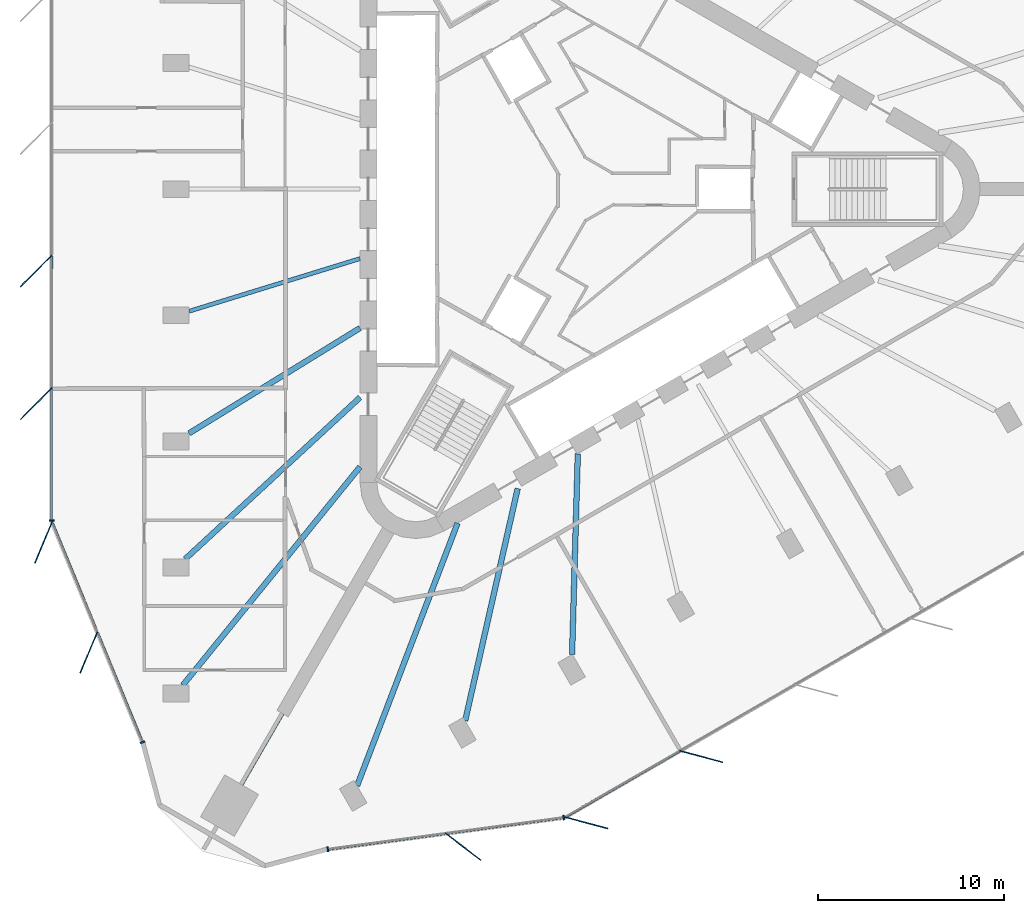
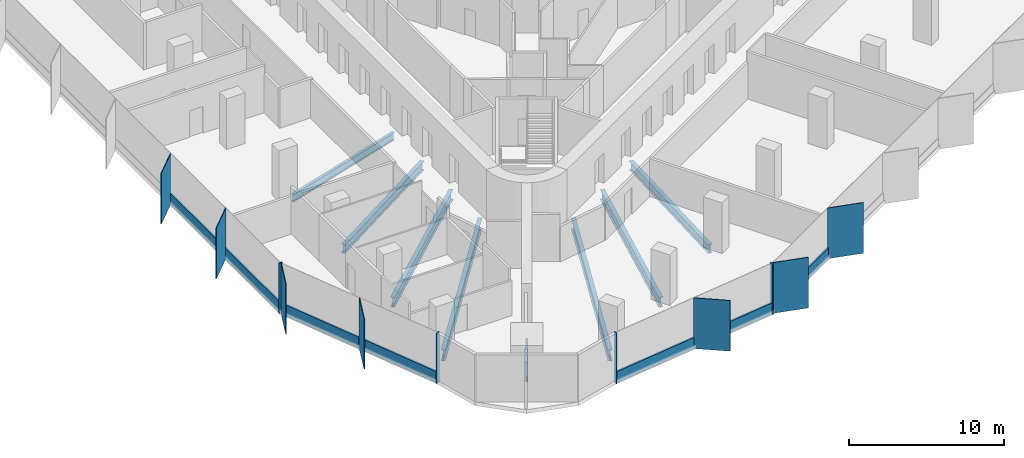
# One storey, part 2 of 14: 18 members, 8 beams, 4 elements without a shape of their own.
"""IFC4 building model written with IfcOpenShell, lengths in metres."""

from ifc_helpers import new_model, si_unit, direction, frame, origin, origin_2d, place, context, subcontext, project, spatial, rectangle, i_section, extrude, material, material_profile, profile_set, type_object, element, aggregate, save


model = new_model("IFC4")

# Units and contexts
model_context = context("Model", 3, precision=1e-05, world=origin(), true_north=direction((0.0, 1.0)))
body_context = subcontext(model_context, "Body", "Model", "MODEL_VIEW")
ifc_project = project(units=[si_unit("LENGTHUNIT", "METRE"), si_unit("AREAUNIT", "SQUARE_METRE"), si_unit("VOLUMEUNIT", "CUBIC_METRE"), si_unit("PLANEANGLEUNIT", "RADIAN"), si_unit("MASSUNIT", "GRAM", prefix="KILO")], contexts=[model_context])

# Site, building, storey
site_placement = place(None, origin())
site = spatial("IfcSite", under=ifc_project, at=site_placement, CompositionType="ELEMENT")
building_placement = place(site_placement, origin())
building = spatial("IfcBuilding", under=site, at=building_placement, Name="Tanit Gate Tower", CompositionType="ELEMENT")
storey_placement = place(building_placement, frame((0.0, 0.0, 233.199951171875)))
storey = spatial("IfcBuildingStorey", under=building, at=storey_placement, Name="L52", CompositionType="ELEMENT", Elevation=233.199951171875)

# Curtain wall, members
ifc_material_1 = material(Name="Aluminium bronze anodised and glass", Category="aluminium")
curtain_wall_type = type_object("IfcCurtainWallType", Name="Curtain wall typical mid", PredefinedType="NOTDEFINED", material=ifc_material_1)
curtain_wall_1_placement = place(storey_placement, origin())
curtain_wall_1 = element("IfcCurtainWall", 1, at=curtain_wall_1_placement, inside=storey, type_object=curtain_wall_type, Name="Curtain wall L52 W2", PredefinedType="NOTDEFINED")
ifc_material_2 = material(Name="Aluminium bronze anodised", Category="aluminium")
ifc_material_profile_1 = material_profile(ifc_material_2, rectangle(XDim=2.39990234375, YDim=0.055908203125, at=origin_2d()), Name="56x2400 bronze fin mullion")
ifc_profile_set_1 = profile_set([ifc_material_profile_1], Name="Aluminium bronze anodised")
member_type_1 = type_object("IfcMemberType", Name="FIN MULLION 56x2400 bronze", PredefinedType="MULLION", material=ifc_profile_set_1)
member_1_placement = place(storey_placement, frame((-29.48828125, -4.393798828125, -0.300048828125), z_axis=(0.0, 0.0, 1.0), x_axis=(0.707057749571, 0.707155809403, 0.0)))
member_1 = element("IfcMember", 2, at=member_1_placement, type_object=member_type_1, Name="Fin mullion L52 W2.4", PredefinedType="MULLION", context=body_context, shape_type="SweptSolid", body=[
    extrude(rectangle(XDim=2.39990234375, YDim=0.055908203125, at=origin_2d()), origin(), (0.0, 0.0, 1.0), 4.0),
])
member_2_placement = place(storey_placement, frame((-29.48779296875, -11.51416015625, -0.300048828125), z_axis=(0.0, 0.0, 1.0), x_axis=(0.707057749571, 0.707155809403, 0.0)))
member_2 = element("IfcMember", 3, at=member_2_placement, type_object=member_type_1, Name="Fin mullion L52 W2.5", PredefinedType="MULLION", context=body_context, shape_type="SweptSolid", body=[
    extrude(rectangle(XDim=2.39990234375, YDim=0.055908203125, at=origin_2d()), origin(), (0.0, 0.0, 1.0), 4.0),
])

curtain_wall_2_placement = place(storey_placement, origin())
curtain_wall_2 = element("IfcCurtainWall", 4, at=curtain_wall_2_placement, inside=storey, type_object=curtain_wall_type, Name="Curtain wall L52 W3", PredefinedType="NOTDEFINED")
member_3_placement = place(storey_placement, frame((-29.0927734375, -18.9658203125, -0.300048828125), z_axis=(0.0, 0.0, 1.0), x_axis=(0.385238181898, 0.922817177564, 0.0)))
member_3 = element("IfcMember", 5, at=member_3_placement, type_object=member_type_1, Name="Fin mullion L52 W3.1", PredefinedType="MULLION", context=body_context, shape_type="SweptSolid", body=[
    extrude(rectangle(XDim=2.39990234375, YDim=0.055908203125, at=origin_2d()), origin(), (0.0, 0.0, 1.0), 4.0),
])
member_4_placement = place(storey_placement, frame((-26.663818359375, -24.87646484375, -0.300048828125), z_axis=(0.0, 0.0, 1.0), x_axis=(0.385238181898, 0.922817177564, 0.0)))
member_4 = element("IfcMember", 6, at=member_4_placement, type_object=member_type_1, Name="Fin mullion L52 W3.2", PredefinedType="MULLION", context=body_context, shape_type="SweptSolid", body=[
    extrude(rectangle(XDim=2.39990234375, YDim=0.055908203125, at=origin_2d()), origin(), (0.0, 0.0, 1.0), 4.0),
])

# Curtain wall, member
curtain_wall_3_placement = place(storey_placement, origin())
curtain_wall_3 = element("IfcCurtainWall", 7, at=curtain_wall_3_placement, inside=storey, type_object=curtain_wall_type, Name="Curtain wall L52 SE1", PredefinedType="NOTDEFINED")
member_5_placement = place(storey_placement, frame((-6.55908203125, -35.308837890625, -0.300048828125), z_axis=(0.0, 0.0, 1.0), x_axis=(-0.794926692677, 0.606705491379, 0.0)))
member_5 = element("IfcMember", 8, at=member_5_placement, type_object=member_type_1, Name="Fin mullion L52 SE1.2", PredefinedType="MULLION", context=body_context, shape_type="SweptSolid", body=[
    extrude(rectangle(XDim=2.39990234375, YDim=0.055908203125, at=origin_2d()), origin(), (0.0, 0.0, 1.0), 4.0),
])

# Curtain wall, members
curtain_wall_4_placement = place(storey_placement, origin())
curtain_wall_4 = element("IfcCurtainWall", 9, at=curtain_wall_4_placement, inside=storey, type_object=curtain_wall_type, Name="Curtain wall L52 SE2", PredefinedType="NOTDEFINED")
member_6_placement = place(storey_placement, frame((0.050537109375, -34.022705078125, -0.300048828125), z_axis=(0.0, 0.0, 1.0), x_axis=(-0.965943770162, 0.25875206837, 0.0)))
member_6 = element("IfcMember", 10, at=member_6_placement, type_object=member_type_1, Name="Fin mullion L52 SE2.1", PredefinedType="MULLION", context=body_context, shape_type="SweptSolid", body=[
    extrude(rectangle(XDim=2.39990234375, YDim=0.055908203125, at=origin_2d()), origin(), (0.0, 0.0, 1.0), 4.0),
])
member_7_placement = place(storey_placement, frame((6.216796875, -30.462158203125, -0.300048828125), z_axis=(0.0, 0.0, 1.0), x_axis=(-0.965943770162, 0.25875206837, 0.0)))
member_7 = element("IfcMember", 11, at=member_7_placement, type_object=member_type_1, Name="Fin mullion L52 SE2.2", PredefinedType="MULLION", context=body_context, shape_type="SweptSolid", body=[
    extrude(rectangle(XDim=2.39990234375, YDim=0.055908203125, at=origin_2d()), origin(), (0.0, 0.0, 1.0), 4.0),
])

# Member
ifc_material_3 = material(Name="Aluminium bronze anodised", Category="aluminium")
ifc_material_profile_2 = material_profile(ifc_material_3, rectangle(XDim=0.260009765625, YDim=0.080078125, at=origin_2d()), Name="80x260 bronze mullion")
ifc_profile_set_2 = profile_set([ifc_material_profile_2], Name="Aluminium bronze anodised")
member_type_2 = type_object("IfcMemberType", Name="Mullion 80x260 typical mid", PredefinedType="MULLION", material=ifc_profile_set_2)
member_8_placement = place(storey_placement, frame((-28.65380859375, -17.801025390625, -0.300048828125), z_axis=(0.0, 0.0, 1.0), x_axis=(0.999999997596, 6.9338772e-05, 0.0)))
member_8 = element("IfcMember", 12, at=member_8_placement, type_object=member_type_2, Name="Mullion L52 W2.6", PredefinedType="MULLION", context=body_context, shape_type="SweptSolid", body=[
    extrude(rectangle(XDim=0.260009765625, YDim=0.080078125, at=origin_2d()), origin(), (0.0, 0.0, 1.0), 4.0),
])

member_9_placement = place(storey_placement, frame((-23.780517578125, -29.69921875, -0.300048828125), z_axis=(0.0, 0.0, 1.0), x_axis=(0.924934814843, 0.380125753259, 0.0)))
member_9 = element("IfcMember", 13, at=member_9_placement, type_object=member_type_2, Name="Mullion L52 W3.3", PredefinedType="MULLION", context=body_context, shape_type="SweptSolid", body=[
    extrude(rectangle(XDim=0.260009765625, YDim=0.080078125, at=origin_2d()), origin(), (0.0, 0.0, 1.0), 4.0),
])

member_10_placement = place(storey_placement, frame((-13.830078125, -35.444091796875, -0.300048828125), z_axis=(0.0, 0.0, 1.0), x_axis=(-0.133092487801, 0.991103622075, 0.0)))
member_10 = element("IfcMember", 14, at=member_10_placement, type_object=member_type_2, Name="Mullion L52 SE1.1", PredefinedType="MULLION", context=body_context, shape_type="SweptSolid", body=[
    extrude(rectangle(XDim=0.260009765625, YDim=0.080078125, at=origin_2d()), origin(), (0.0, 0.0, 1.0), 4.0),
])

member_11_placement = place(storey_placement, frame((-1.162353515625, -33.742919921875, -0.300048828125), z_axis=(0.0, 0.0, 1.0), x_axis=(-0.133092487801, 0.991103622075, 0.0)))
member_11 = element("IfcMember", 15, at=member_11_placement, type_object=member_type_2, Name="Mullion L52 SE1.3", PredefinedType="MULLION", context=body_context, shape_type="SweptSolid", body=[
    extrude(rectangle(XDim=0.260009765625, YDim=0.080078125, at=origin_2d()), origin(), (0.0, 0.0, 1.0), 4.0),
])

# Beams
ifc_material_4 = material(Name="Steel S355", Category="steel")
ifc_material_profile_3 = material_profile(ifc_material_4, i_section(OverallWidth=0.300048828125, OverallDepth=0.68994140625, WebThickness=0.014404296875, FlangeThickness=0.027099609375, FilletRadius=0.027099609375, at=origin_2d()), Name="HEA 700")
ifc_profile_set_3 = profile_set([ifc_material_profile_3], Name="Steel S355")
beam_type_1 = type_object("IfcBeamType", Name="RADIAL GIRDER HEA 700 S355", PredefinedType="BEAM", material=ifc_profile_set_3)
for number, where, z_axis, x_axis, name in (
    (16, (-21.279296875, -13.110595703125, -0.64501953125), (0.851378241131, 0.524552276259, 0.0), (-0.524552276259, 0.851378241131, 0.0), "RADIAL GIRDER"),
    (17, (-0.714599609375, -24.983642578125, -0.64501953125), (0.028583051014, 0.999591421129, 0.0), (-0.999591421129, 0.028583051014, 0.0), "RADIAL GIRDER"),
):
    element("IfcBeam", number, at=place(storey_placement, frame(where, z_axis=z_axis, x_axis=x_axis)), inside=storey, type_object=beam_type_1, Name=name, PredefinedType="BEAM", context=body_context, shape_type="SweptSolid", body=[
        extrude(i_section(OverallWidth=0.300048828125, OverallDepth=0.68994140625, WebThickness=0.014404296875, FlangeThickness=0.027099609375, FilletRadius=0.027099609375, at=origin_2d()), origin(), (0.0, 0.0, 1.0), 10.779296875),
    ])
ifc_material_5 = material(Name="Steel S355", Category="steel")
ifc_material_profile_4 = material_profile(ifc_material_5, i_section(OverallWidth=0.300048828125, OverallDepth=0.7900390625, WebThickness=0.014892578125, FlangeThickness=0.028076171875, FilletRadius=0.030029296875, at=origin_2d()), Name="HEA 800")
ifc_profile_set_4 = profile_set([ifc_material_profile_4], Name="Steel S355")
beam_type_2 = type_object("IfcBeamType", Name="RADIAL GIRDER HEA 800 S355", PredefinedType="BEAM", material=ifc_profile_set_4)
for number, where, z_axis, x_axis, name in (
    (18, (-21.4921875, -19.86279296875, -0.695068359375), (0.734397761649, 0.678719329093, 0.0), (-0.678719329093, 0.734397761649, 0.0), "RADIAL GIRDER"),
    (19, (-6.45556640625, -28.544189453125, -0.695068359375), (0.220594325016, 0.975365646192, 0.0), (-0.975365646192, 0.220594325016, 0.0), "RADIAL GIRDER"),
):
    element("IfcBeam", number, at=place(storey_placement, frame(where, z_axis=z_axis, x_axis=x_axis)), inside=storey, type_object=beam_type_2, Name=name, PredefinedType="BEAM", context=body_context, shape_type="SweptSolid", body=[
        extrude(i_section(OverallWidth=0.300048828125, OverallDepth=0.7900390625, WebThickness=0.014892578125, FlangeThickness=0.028076171875, FilletRadius=0.030029296875, at=origin_2d()), origin(), (0.0, 0.0, 1.0), 12.7861328125),
    ])
ifc_material_6 = material(Name="Steel S355", Category="steel")
ifc_material_profile_5 = material_profile(ifc_material_6, i_section(OverallWidth=0.300048828125, OverallDepth=0.889892578125, WebThickness=0.01611328125, FlangeThickness=0.030029296875, FilletRadius=0.030029296875, at=origin_2d()), Name="HEA 900")
ifc_profile_set_5 = profile_set([ifc_material_profile_5], Name="Steel S355")
beam_type_3 = type_object("IfcBeamType", Name="RADIAL GIRDER HEA 900 S355", PredefinedType="BEAM", material=ifc_profile_set_5)
for number, where, z_axis, x_axis, name in (
    (20, (-21.614013671875, -26.6337890625, -0.744873046875), (0.630133417388, 0.776486880952, 0.0), (-0.776486880952, 0.630133417388, 0.0), "RADIAL GIRDER"),
    (21, (-12.2587890625, -32.03515625, -0.744873046875), (0.357400572527, 0.93395119292, 0.0), (-0.93395119292, 0.357400572527, 0.0), "RADIAL GIRDER"),
):
    element("IfcBeam", number, at=place(storey_placement, frame(where, z_axis=z_axis, x_axis=x_axis)), inside=storey, type_object=beam_type_3, Name=name, PredefinedType="BEAM", context=body_context, shape_type="SweptSolid", body=[
        extrude(i_section(OverallWidth=0.300048828125, OverallDepth=0.889892578125, WebThickness=0.01611328125, FlangeThickness=0.030029296875, FilletRadius=0.030029296875, at=origin_2d()), origin(), (0.0, 0.0, 1.0), 15.09521484375),
    ])
ifc_material_7 = material(Name="Steel S355", Category="steel")
ifc_material_profile_6 = material_profile(ifc_material_7, i_section(OverallWidth=0.179931640625, OverallDepth=0.39990234375, WebThickness=0.008544921875, FlangeThickness=0.013427734375, FilletRadius=0.02099609375, at=origin_2d()), Name="IPE 400")
ifc_profile_set_6 = profile_set([ifc_material_profile_6], Name="Steel S355")
beam_type_4 = type_object("IfcBeamType", Name="RADIAL GIRDER IPE 400 S355", PredefinedType="BEAM", material=ifc_profile_set_6)
beam_1_placement = place(storey_placement, frame((-18.459716796875, -31.973388671875, -0.5), z_axis=(0.499992938033, 0.866029480975, 0.0), x_axis=(-0.866029480975, 0.499992938033, 0.0)))
element("IfcBeam", 22, at=beam_1_placement, inside=storey, type_object=beam_type_4, Name="RADIAL GIRDER", PredefinedType="BEAM", context=body_context, shape_type="SweptSolid", body=[
    extrude(i_section(OverallWidth=0.179931640625, OverallDepth=0.39990234375, WebThickness=0.008544921875, FlangeThickness=0.013427734375, FilletRadius=0.02099609375, at=origin_2d()), origin(), (0.0, 0.0, 1.0), 4.4013671875),
])
ifc_material_8 = material(Name="Steel S355", Category="steel")
ifc_material_profile_7 = material_profile(ifc_material_8, i_section(OverallWidth=0.219970703125, OverallDepth=0.60009765625, WebThickness=0.011962890625, FlangeThickness=0.01904296875, FilletRadius=0.02392578125, at=origin_2d()), Name="IPE 600")
ifc_profile_set_7 = profile_set([ifc_material_profile_7], Name="Steel S355")
beam_type_5 = type_object("IfcBeamType", Name="RADIAL GIRDER IPE 600 S355", PredefinedType="BEAM", material=ifc_profile_set_7)
beam_2_placement = place(storey_placement, frame((-21.279296875, -6.555419921875, -0.599853515625), z_axis=(0.955680008009, 0.294407408692, 0.0), x_axis=(-0.294407408692, 0.955680008009, 0.0)))
element("IfcBeam", 23, at=beam_2_placement, inside=storey, type_object=beam_type_5, Name="RADIAL GIRDER", PredefinedType="BEAM", context=body_context, shape_type="SweptSolid", body=[
    extrude(i_section(OverallWidth=0.219970703125, OverallDepth=0.60009765625, WebThickness=0.011962890625, FlangeThickness=0.01904296875, FilletRadius=0.02392578125, at=origin_2d()), origin(), (0.0, 0.0, 1.0), 9.602783203125),
])

# Member
ifc_material_9 = material(Name="Aluminium bronze anodised", Category="aluminium")
ifc_material_profile_8 = material_profile(ifc_material_9, rectangle(XDim=0.139892578125, YDim=0.89990234375, at=origin_2d()), Name="140x900 bronze transom")
ifc_profile_set_8 = profile_set([ifc_material_profile_8], Name="Aluminium bronze anodised")
member_type_3 = type_object("IfcMemberType", Name="Transom 140x900 typical mid", PredefinedType="USERDEFINED", material=ifc_profile_set_8)
member_12_placement = place(storey_placement, frame((-28.65478515625, -3.60009765625, 0.150146484375), z_axis=(6.9352937e-05, -0.999999997595, 0.0), x_axis=(0.999999997595, 6.9352937e-05, 0.0)))
member_12 = element("IfcMember", 24, at=member_12_placement, type_object=member_type_3, Name="Transom L52 W2.4", ObjectType="TRANSOM", PredefinedType="USERDEFINED", context=body_context, shape_type="SweptSolid", body=[
    extrude(rectangle(XDim=0.139892578125, YDim=0.89990234375, at=origin_2d()), origin(), (0.0, 0.0, 1.0), 7.04052734375),
])

member_13_placement = place(storey_placement, frame((-28.654296875, -10.720703125, 0.150146484375), z_axis=(6.9355342e-05, -0.999999997595, 0.0), x_axis=(0.999999997595, 6.9355342e-05, 0.0)))
member_13 = element("IfcMember", 25, at=member_13_placement, type_object=member_type_3, Name="Transom L52 W2.5", ObjectType="TRANSOM", PredefinedType="USERDEFINED", context=body_context, shape_type="SweptSolid", body=[
    extrude(rectangle(XDim=0.139892578125, YDim=0.89990234375, at=origin_2d()), origin(), (0.0, 0.0, 1.0), 7.040283203125),
])

aggregate(curtain_wall_1, [member_1, member_2, member_8, member_12, member_13])

member_14_placement = place(storey_placement, frame((-28.62353515625, -17.9150390625, 0.150146484375), z_axis=(0.380119246598, -0.924937488896, 0.0), x_axis=(0.924937488896, 0.380119246598, 0.0)))
member_14 = element("IfcMember", 26, at=member_14_placement, type_object=member_type_3, Name="Transom L52 W3.1", ObjectType="TRANSOM", PredefinedType="USERDEFINED", context=body_context, shape_type="SweptSolid", body=[
    extrude(rectangle(XDim=0.139892578125, YDim=0.89990234375, at=origin_2d()), origin(), (0.0, 0.0, 1.0), 6.310302734375),
])

member_15_placement = place(storey_placement, frame((-26.1943359375, -23.82568359375, 0.150146484375), z_axis=(0.380119246598, -0.924937488896, 0.0), x_axis=(0.924937488896, 0.380119246598, 0.0)))
member_15 = element("IfcMember", 27, at=member_15_placement, type_object=member_type_3, Name="Transom L52 W3.2", ObjectType="TRANSOM", PredefinedType="USERDEFINED", context=body_context, shape_type="SweptSolid", body=[
    extrude(rectangle(XDim=0.139892578125, YDim=0.89990234375, at=origin_2d()), origin(), (0.0, 0.0, 1.0), 6.310302734375),
])

aggregate(curtain_wall_2, [member_3, member_4, member_9, member_14, member_15])

member_16_placement = place(storey_placement, frame((-13.790283203125, -35.438720703125, 0.150146484375), z_axis=(0.991104481394, 0.133086088531, 0.0), x_axis=(-0.133086088531, 0.991104481394, 0.0)))
member_16 = element("IfcMember", 28, at=member_16_placement, type_object=member_type_3, Name="Transom L52 SE1.1", ObjectType="TRANSOM", PredefinedType="USERDEFINED", context=body_context, shape_type="SweptSolid", body=[
    extrude(rectangle(XDim=0.139892578125, YDim=0.89990234375, at=origin_2d()), origin(), (0.0, 0.0, 1.0), 6.310546875),
])

member_17_placement = place(storey_placement, frame((-7.45654296875, -34.588134765625, 0.150146484375), z_axis=(0.99110516659, 0.133080985716, 0.0), x_axis=(-0.133080985716, 0.99110516659, 0.0)))
member_17 = element("IfcMember", 29, at=member_17_placement, type_object=member_type_3, Name="Transom L52 SE1.2", ObjectType="TRANSOM", PredefinedType="USERDEFINED", context=body_context, shape_type="SweptSolid", body=[
    extrude(rectangle(XDim=0.139892578125, YDim=0.89990234375, at=origin_2d()), origin(), (0.0, 0.0, 1.0), 6.310791015625),
])

aggregate(curtain_wall_3, [member_10, member_5, member_11, member_16, member_17])

member_18_placement = place(storey_placement, frame((-1.053466796875, -33.69775390625, 0.150146484375), z_axis=(0.865982880904, 0.500073644557, 0.0), x_axis=(-0.500073644557, 0.865982880904, 0.0)))
member_18 = element("IfcMember", 30, at=member_18_placement, type_object=member_type_3, Name="Transom L52 SE2.1", ObjectType="TRANSOM", PredefinedType="USERDEFINED", context=body_context, shape_type="SweptSolid", body=[
    extrude(rectangle(XDim=0.139892578125, YDim=0.89990234375, at=origin_2d()), origin(), (0.0, 0.0, 1.0), 7.04052734375),
])

aggregate(curtain_wall_4, [member_6, member_7, member_18])

save(model, "model.ifc")
